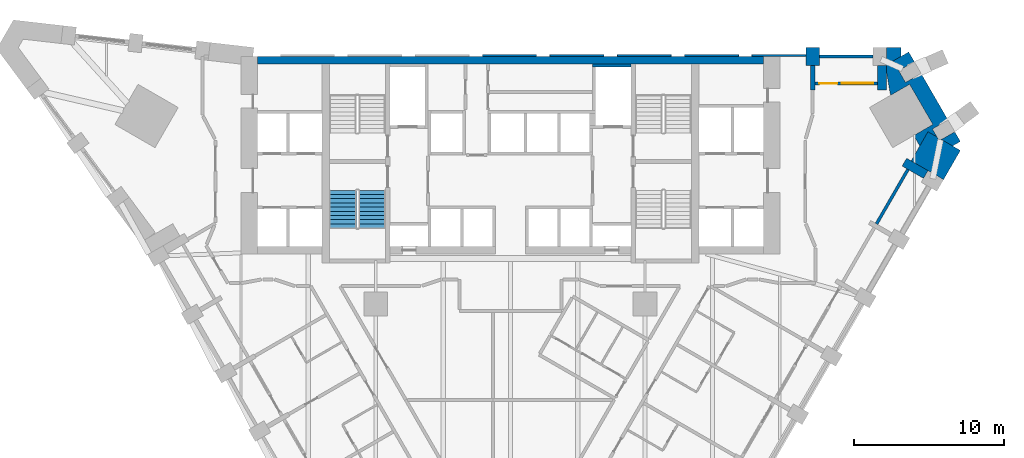
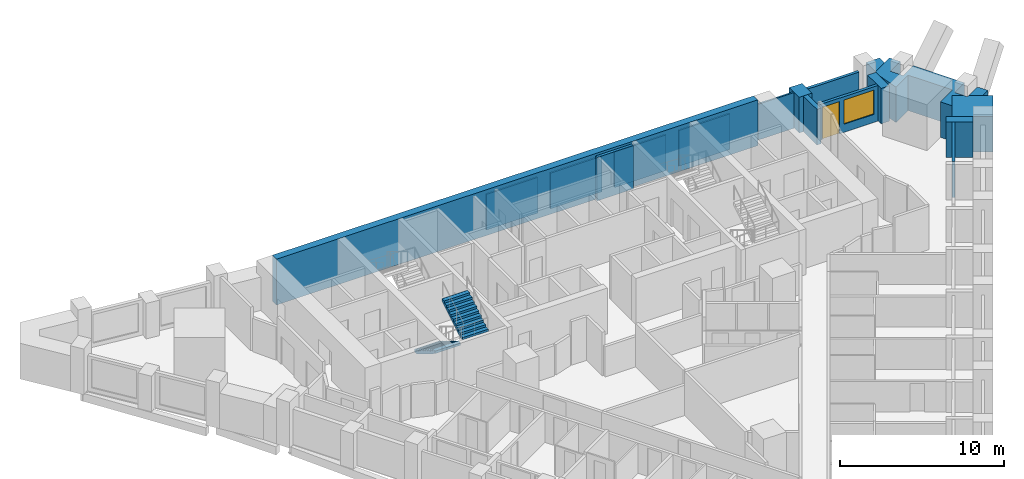
# One storey, part 10 of 12: 18 walls, 2 stair flights, 1 door, 1 window, 2 openings, 1 element without a shape of its own.
"""IFC4 building model written with IfcOpenShell, lengths in metres."""

import ifcopenshell
import ifcopenshell.guid

model = None  # the IFC model being written
_history = None  # IfcOwnerHistory: only IFC2X3 demands one
_inside = {}  # id of a spatial element -> (the spatial element, [elements in it])
_under = {}  # id of a project, library or spatial element -> (it, [spatial elements below it])
_declared = {}  # id of a project -> (the project, [libraries it declares])
_typed = {}  # id of a type object -> (the type object, [elements of that type])
_made_of = {}  # id of a material, layer set ... -> (it, [elements and type objects made of it])


def new_model(schema):
    """Start an empty IFC model of exactly this schema.

    Asked for "IFC4X3", IfcOpenShell would pick the latest addendum, in which some entities
    have other attributes; the version numbers below select the first issue.
    IFC2X3 requires an IfcOwnerHistory on every rooted entity: one is made here for all.
    """
    global model, _history
    if schema == "IFC4X3":
        model = ifcopenshell.file(schema_version=(4, 3, 0, 0))
    else:
        model = ifcopenshell.file(schema=schema)
    _inside.clear()
    _under.clear()
    _declared.clear()
    _typed.clear()
    _made_of.clear()
    _history = None
    if model.schema == "IFC2X3":
        org = make("IfcOrganization", Name="unknown")
        user = make(
            "IfcPersonAndOrganization",
            ThePerson=make("IfcPerson", FamilyName="unknown"),
            TheOrganization=org,
        )
        app = make(
            "IfcApplication",
            ApplicationDeveloper=org,
            Version="unknown",
            ApplicationFullName="unknown",
            ApplicationIdentifier="unknown",
        )
        _history = make(
            "IfcOwnerHistory",
            OwningUser=user,
            OwningApplication=app,
            ChangeAction="ADDED",
            CreationDate=0,
        )
    return model


def make(cls, **values):
    """One entity of the class cls with the attributes given. An attribute that is None is left unset."""
    return model.create_entity(
        cls, **{name: value for name, value in values.items() if value is not None}
    )


def rooted(cls, **values):
    """An entity with a GlobalId (a new one), such as an element, a storey or a relation."""
    return make(cls, GlobalId=ifcopenshell.guid.new(), OwnerHistory=_history, **values)


def si_unit(unit_type, name, prefix=None):
    """IfcSIUnit, for example si_unit("LENGTHUNIT", "METRE", prefix="MILLI")."""
    return make("IfcSIUnit", UnitType=unit_type, Prefix=prefix, Name=name)


def assignment(units):
    """IfcUnitAssignment: the units of a project."""
    return None if units is None else make("IfcUnitAssignment", Units=units)


def point(xyz):
    """IfcCartesianPoint."""
    return None if xyz is None else make("IfcCartesianPoint", Coordinates=xyz)


def direction(xyz):
    """IfcDirection."""
    return None if xyz is None else make("IfcDirection", DirectionRatios=xyz)


def frame(location, z_axis=None, x_axis=None):
    """IfcAxis2Placement3D, a coordinate frame: its origin and axes. An axis left out is left unset."""
    return make(
        "IfcAxis2Placement3D",
        Location=point(location),
        Axis=direction(z_axis),
        RefDirection=direction(x_axis),
    )


def frame_2d(location, x_axis=None):
    """IfcAxis2Placement2D, a coordinate frame in the plane: its origin and x axis."""
    return make(
        "IfcAxis2Placement2D", Location=point(location), RefDirection=direction(x_axis)
    )


def origin():
    """The frame at (0, 0, 0) with its axes left unset."""
    return frame((0.0, 0.0, 0.0))


def place(relative_to, where):
    """IfcLocalPlacement: puts the frame where relative to a parent placement (None: the world)."""
    return make(
        "IfcLocalPlacement", PlacementRelTo=relative_to, RelativePlacement=where
    )


def context(
    kind, dimensions, precision=None, world=None, true_north=None, identifier=None
):
    """IfcGeometricRepresentationContext, for example the 3D "Model" context."""
    return make(
        "IfcGeometricRepresentationContext",
        ContextIdentifier=identifier,
        ContextType=kind,
        CoordinateSpaceDimension=dimensions,
        Precision=precision,
        WorldCoordinateSystem=world,
        TrueNorth=true_north,
    )


def subcontext(parent, identifier, kind, view, scale=None):
    """IfcGeometricRepresentationSubContext, for example "Body" below "Model"."""
    return make(
        "IfcGeometricRepresentationSubContext",
        ContextIdentifier=identifier,
        ContextType=kind,
        ParentContext=parent,
        TargetScale=scale,
        TargetView=view,
    )


def project(units=None, contexts=None):
    """IfcProject with its units and contexts."""
    return rooted(
        "IfcProject",
        Name="project",
        RepresentationContexts=contexts,
        UnitsInContext=assignment(units),
    )


def spatial(cls, under=None, at=None, **own):
    """A site, building, storey or space (cls), placed at a placement, below another one or the project."""
    s = rooted(cls, ObjectPlacement=at, **own)
    if under is not None:
        _under.setdefault(under.id(), (under, []))[1].append(s)
    return s


def polyline(points):
    """IfcPolyline through the points."""
    return make("IfcPolyline", Points=[point(p) for p in points])


def profile(cls, at=None, kind="AREA", **sizes):
    """A parametric profile (cls). Its sizes go by their IFC names, for example OverallWidth=200.0."""
    return make(cls, ProfileType=kind, Position=at, **sizes)


def rectangle(**sizes):
    """IfcRectangleProfileDef."""
    return profile("IfcRectangleProfileDef", **sizes)


def outline(outer, holes=None, kind="AREA"):
    """IfcArbitraryClosedProfileDef: a profile drawn as a closed curve; with holes, ...WithVoids."""
    if holes is None:
        return make("IfcArbitraryClosedProfileDef", ProfileType=kind, OuterCurve=outer)
    return make(
        "IfcArbitraryProfileDefWithVoids",
        ProfileType=kind,
        OuterCurve=outer,
        InnerCurves=holes,
    )


def extrude(swept, where, along, depth):
    """IfcExtrudedAreaSolid: the profile swept, set in the frame where, extruded along a direction by depth."""
    return make(
        "IfcExtrudedAreaSolid",
        SweptArea=swept,
        Position=where,
        ExtrudedDirection=direction(along),
        Depth=depth,
    )


def faces_of(points, faces, orient=None, outer=None):
    """IfcFace entities. A face is a list of loops; a loop is a list of indices into points, from 0.

    orient and outer hold one flag for each loop. By default every Orientation is true, the
    first loop of a face is its IfcFaceOuterBound and the others are IfcFaceBound.
    """
    made = []
    for i, loops in enumerate(faces):
        bounds = []
        for j, loop in enumerate(loops):
            is_outer = j == 0 if outer is None else outer[i][j]
            bounds.append(
                make(
                    "IfcFaceOuterBound" if is_outer else "IfcFaceBound",
                    Bound=make("IfcPolyLoop", Polygon=[points[k] for k in loop]),
                    Orientation=True if orient is None else orient[i][j],
                )
            )
        made.append(make("IfcFace", Bounds=bounds))
    return made


def faceted_brep(points, faces, orient=None, outer=None, voids=None):
    """IfcFacetedBrep: a solid bounded by flat faces; with voids (closed shells), ...WithVoids."""
    shared = [point(p) for p in points]
    hull = make("IfcClosedShell", CfsFaces=faces_of(shared, faces, orient, outer))
    if voids is None:
        return make("IfcFacetedBrep", Outer=hull)
    return make(
        "IfcFacetedBrepWithVoids",
        Outer=hull,
        Voids=[
            make(cls, CfsFaces=faces_of(shared, fs, o, b)) for cls, fs, o, b in voids
        ],
    )


def shape(context_of_items, identifier, shape_type, items):
    """IfcShapeRepresentation: the items that make up one representation, for example the "Body"."""
    return make(
        "IfcShapeRepresentation",
        ContextOfItems=context_of_items,
        RepresentationIdentifier=identifier,
        RepresentationType=shape_type,
        Items=items,
    )


def source(mapping_origin, context_of_items, identifier, shape_type, items):
    """IfcRepresentationMap: a shape defined once, which mapped items show again and again."""
    return make(
        "IfcRepresentationMap",
        MappingOrigin=mapping_origin,
        MappedRepresentation=shape(context_of_items, identifier, shape_type, items),
    )


def transform(
    local_origin,
    x_axis=None,
    y_axis=None,
    z_axis=None,
    scale=None,
    scale2=None,
    scale3=None,
    uniform=True,
):
    """IfcCartesianTransformationOperator3D, or its non-uniform kind. x_axis, y_axis, z_axis: its Axis1, 2, 3."""
    if uniform:
        return make(
            "IfcCartesianTransformationOperator3D",
            Axis1=direction(x_axis),
            Axis2=direction(y_axis),
            LocalOrigin=point(local_origin),
            Scale=scale,
            Axis3=direction(z_axis),
        )
    return make(
        "IfcCartesianTransformationOperator3DnonUniform",
        Axis1=direction(x_axis),
        Axis2=direction(y_axis),
        LocalOrigin=point(local_origin),
        Scale=scale,
        Axis3=direction(z_axis),
        Scale2=scale2,
        Scale3=scale3,
    )


def mapped(mapping_source, mapping_target):
    """IfcMappedItem: shows the shape of a source again, moved by a transform."""
    return make(
        "IfcMappedItem", MappingSource=mapping_source, MappingTarget=mapping_target
    )


def material(Name=None, Category=None):
    """IfcMaterial."""
    return make("IfcMaterial", Name=Name, Category=Category)


def layer(
    of_material, thickness, ventilated=None, Name=None, Category=None, Priority=None
):
    """IfcMaterialLayer: one layer of a wall or slab, of a material (None: an air gap)."""
    return make(
        "IfcMaterialLayer",
        Material=of_material,
        LayerThickness=thickness,
        IsVentilated=ventilated,
        Name=Name,
        Category=Category,
        Priority=Priority,
    )


def layer_set(layers, Name=None):
    """IfcMaterialLayerSet."""
    return make("IfcMaterialLayerSet", MaterialLayers=layers, LayerSetName=Name)


def made_of(thing, what):
    """Note that an element or type object is made of a material, layer set ...; save() writes the relation."""
    if what is not None:
        _made_of.setdefault(what.id(), (what, []))[1].append(thing)
    return thing


def type_object(cls, material=None, **own):
    """A type object (cls), such as IfcWallType, which elements share."""
    return made_of(rooted(cls, **own), material)


def element(
    cls,
    number,
    at=None,
    inside=None,
    cuts=None,
    type_object=None,
    material=None,
    context=None,
    identifier="Body",
    shape_type=None,
    held_by="IfcProductDefinitionShape",
    body=None,
    shapes=None,
    **own,
):
    """One element of the class cls, such as IfcWall. Its Tag is "e" and its number.

    at: its placement. inside: the storey or other place that contains it. cuts: it is an
    opening in that element (IfcRelVoidsElement). A single representation is given by context,
    identifier, shape_type and body (its items); several are given by shapes. held_by: the class
    of the entity that holds the representations. save() writes the other relations.
    """
    e = rooted(cls, Tag="e%d" % number, ObjectPlacement=at, **own)
    if body is not None:
        shapes = [shape(context, identifier, shape_type, body)]
    if shapes is not None:
        e.Representation = make(held_by, Representations=shapes)
    if inside is not None:
        _inside.setdefault(inside.id(), (inside, []))[1].append(e)
    if cuts is not None:
        rooted(
            "IfcRelVoidsElement", RelatingBuildingElement=cuts, RelatedOpeningElement=e
        )
    if type_object is not None:
        _typed.setdefault(type_object.id(), (type_object, []))[1].append(e)
    return made_of(e, material)


def fill(opening, filler):
    """IfcRelFillsElement: the door or window that sits in an opening."""
    return rooted(
        "IfcRelFillsElement",
        RelatingOpeningElement=opening,
        RelatedBuildingElement=filler,
    )


def aggregate(whole, parts):
    """IfcRelAggregates: a whole, such as a stair, and the parts it consists of."""
    return rooted("IfcRelAggregates", RelatingObject=whole, RelatedObjects=parts)


def save(model, path):
    """Write the relations noted so far, then the file.

    IfcRelAggregates (storeys below a building ...), IfcRelContainedInSpatialStructure (elements
    in a storey), IfcRelDefinesByType, IfcRelAssociatesMaterial and IfcRelDeclares: one each for
    every whole, place, type object, material and project.
    """
    for whole, parts in _under.values():
        aggregate(whole, parts)
    for where, things in _inside.values():
        rooted(
            "IfcRelContainedInSpatialStructure",
            RelatedElements=things,
            RelatingStructure=where,
        )
    for kind, things in _typed.values():
        rooted("IfcRelDefinesByType", RelatedObjects=things, RelatingType=kind)
    for what, things in _made_of.values():
        rooted("IfcRelAssociatesMaterial", RelatedObjects=things, RelatingMaterial=what)
    for by, libraries in _declared.values():
        rooted("IfcRelDeclares", RelatingContext=by, RelatedDefinitions=libraries)
    model.write(path)


model = new_model("IFC4")

# Units and contexts
model_context = context("Model", 3, precision=1e-05, world=origin(), true_north=direction((0.0, 1.0)))
body_context = subcontext(model_context, "Body", "Model", "MODEL_VIEW")
ifc_project = project(units=[si_unit("LENGTHUNIT", "METRE"), si_unit("AREAUNIT", "SQUARE_METRE"), si_unit("VOLUMEUNIT", "CUBIC_METRE"), si_unit("PLANEANGLEUNIT", "RADIAN"), si_unit("MASSUNIT", "GRAM", prefix="KILO")], contexts=[model_context])

# Site, building, storey
site_placement = place(None, origin())
site = spatial("IfcSite", under=ifc_project, at=site_placement, CompositionType="ELEMENT")
building_placement = place(site_placement, origin())
building = spatial("IfcBuilding", under=site, at=building_placement, Name="Calabash Gate Tower", CompositionType="ELEMENT")
storey_placement = place(building_placement, frame((0.0, 0.0, 80.0)))
storey = spatial("IfcBuildingStorey", under=building, at=storey_placement, Name="L16", CompositionType="ELEMENT", Elevation=80.0)

# Walls
ifc_material_1 = material(Name="Terracotta brick masonry, exposed face", Category="masonry")
ifc_layer_1 = layer(ifc_material_1, 2.5)
ifc_layer_set_1 = layer_set([ifc_layer_1], Name="Brick corner mass wall 2500")
wall_type_1 = type_object("IfcWallType", Name="Brick corner mass wall 2500", PredefinedType="SOLIDWALL", material=ifc_layer_set_1)
wall_1_placement = place(storey_placement, origin())
element("IfcWall", 1, at=wall_1_placement, inside=storey, type_object=wall_type_1, Name="Brick corner pier S04 3a", PredefinedType="SOLIDWALL", context=body_context, shape_type="SweptSolid", body=[
    extrude(outline(polyline([(30.06640625, 12.771484375), (28.794921875, 13.505615234375), (28.65234375, 13.42333984375), (28.509765625, 13.670166015625), (27.9013671875, 14.021484375), (26.777099609375, 12.073974609375), (28.942138671875, 10.823974609375), (30.06640625, 12.771484375)])), origin(), (0.0, 0.0, 1.0), 2.6298828125),
])
wall_2_placement = place(storey_placement, origin())
element("IfcWall", 2, at=wall_2_placement, inside=storey, type_object=wall_type_1, Name="Brick corner pier S04 3ba", PredefinedType="SOLIDWALL", context=body_context, shape_type="SweptSolid", body=[
    extrude(outline(polyline([(29.72607421875, 13.9609375), (29.583740234375, 13.9609375), (28.777099609375, 13.495361328125), (28.794921875, 13.505615234375), (29.546875, 13.071533203125), (30.06640625, 13.37158203125), (29.72607421875, 13.9609375)])), origin(), (0.0, 0.0, 1.0), 2.6298828125),
])
wall_3_placement = place(storey_placement, origin())
element("IfcWall", 3, at=wall_3_placement, inside=storey, type_object=wall_type_1, Name="Brick corner pier S04 3bb", PredefinedType="SOLIDWALL", context=body_context, shape_type="SweptSolid", body=[
    extrude(outline(polyline([(26.67431640625, 17.1904296875), (28.224365234375, 14.505615234375), (26.94970703125, 13.769775390625), (27.35302734375, 13.071533203125), (27.9013671875, 14.021484375), (28.509765625, 13.670166015625), (28.202392578125, 14.20263671875), (29.240478515625, 14.802001953125), (27.44384765625, 17.9140625), (26.40234375, 17.3212890625), (25.952392578125, 18.100830078125), (26.990234375, 18.699951171875), (26.61328125, 19.3525390625), (25.054443359375, 18.45263671875), (25.141845703125, 18.45263671875), (25.141845703125, 17.947021484375), (25.399658203125, 16.454345703125), (26.67431640625, 17.1904296875)])), origin(), (0.0, 0.0, 1.0), 2.6298828125),
])
wall_4_placement = place(storey_placement, origin())
element("IfcWall", 4, at=wall_4_placement, inside=storey, type_object=wall_type_1, Name="Brick corner pier S04 3c", PredefinedType="SOLIDWALL", context=body_context, shape_type="SweptSolid", body=[
    extrude(outline(polyline([(26.09375, 19.652587890625), (25.14208984375, 19.652587890625), (25.14208984375, 18.503173828125), (26.09375, 19.052490234375), (26.09375, 19.652587890625)])), origin(), (0.0, 0.0, 1.0), 2.6298828125),
])
ifc_material_2 = material(Name="Terracotta brick masonry, exposed face", Category="masonry")
ifc_layer_2 = layer(ifc_material_2, 1.199951171875)
ifc_layer_set_2 = layer_set([ifc_layer_2], Name="Brick end wall 1200")
wall_type_2 = type_object("IfcWallType", Name="Brick end wall 1200", PredefinedType="SOLIDWALL", material=ifc_layer_set_2)
wall_5_placement = place(storey_placement, origin())
element("IfcWall", 5, at=wall_5_placement, inside=storey, type_object=wall_type_2, Name="Brick pier S04 N4.1", PredefinedType="SOLIDWALL", context=body_context, shape_type="SweptSolid", body=[
    extrude(outline(polyline([(20.641845703125, 19.652587890625), (19.74169921875, 19.652587890625), (19.74169921875, 18.45263671875), (20.641845703125, 18.45263671875), (20.641845703125, 19.652587890625)])), origin(), (0.0, 0.0, 1.0), 2.64990234375),
])
ifc_material_3 = material(Name="Terracotta brick masonry, exposed face", Category="masonry")
ifc_layer_3 = layer(ifc_material_3, 0.300048828125)
ifc_layer_set_3 = layer_set([ifc_layer_3], Name="Brick loggia cheek wall 300")
wall_type_3 = type_object("IfcWallType", Name="Brick loggia cheek wall 300", PredefinedType="SOLIDWALL", material=ifc_layer_set_3)
wall_6_placement = place(storey_placement, frame((27.7529296875, 11.164306640625, 0.0), z_axis=(0.0, 0.0, 1.0), x_axis=(-0.866040211805, 0.499974350878, 0.0)))
element("IfcWall", 6, at=wall_6_placement, inside=storey, type_object=wall_type_3, Name="Loggia cheek S04 SE2.10", PredefinedType="SOLIDWALL", context=body_context, shape_type="SweptSolid", body=[
    extrude(rectangle(XDim=1.64990234375, YDim=0.60009765625, at=frame_2d((0.824951171875, 0.0))), origin(), (0.0, 0.0, 1.0), 2.64990234375),
])
wall_7_placement = place(storey_placement, origin())
element("IfcWall", 7, at=wall_7_placement, inside=storey, type_object=wall_type_3, Name="Loggia cheek S04 N4.0", PredefinedType="SOLIDWALL", context=body_context, shape_type="SweptSolid", body=[
    extrude(outline(polyline([(25.141845703125, 16.802490234375), (25.141845703125, 18.45263671875), (24.541748046875, 18.45263671875), (24.541748046875, 16.802490234375), (25.141845703125, 16.802490234375)])), origin(), (0.0, 0.0, 1.0), 2.6298828125),
])
wall_8_placement = place(storey_placement, origin())
element("IfcWall", 8, at=wall_8_placement, inside=storey, type_object=wall_type_3, Name="Loggia cheek S04 N4.1", PredefinedType="SOLIDWALL", context=body_context, shape_type="SweptSolid", body=[
    extrude(outline(polyline([(20.041748046875, 18.45263671875), (20.041748046875, 16.802490234375), (20.341796875, 16.802490234375), (20.341796875, 18.45263671875), (20.041748046875, 18.45263671875)])), origin(), (0.0, 0.0, 1.0), 2.64990234375),
])
ifc_material_4 = material(Name="Concrete C80/95", Category="concrete")
ifc_layer_4 = layer(ifc_material_4, 0.5)
ifc_layer_set_4 = layer_set([ifc_layer_4], Name="Core wall 500 Concrete C80/95")
wall_type_4 = type_object("IfcWallType", Name="Core wall 500 Concrete C80/95", PredefinedType="SHEAR", material=ifc_layer_set_4)
wall_9_placement = place(storey_placement, frame((-16.89990234375, 18.802490234375, 0.0), z_axis=(0.0, 0.0, 1.0), x_axis=(1.0, 0.0, 0.0)))
element("IfcWall", 9, at=wall_9_placement, inside=storey, type_object=wall_type_4, Name="Core wall Z1-N L16", PredefinedType="SHEAR", context=body_context, shape_type="SweptSolid", body=[
    extrude(rectangle(XDim=33.7998046875, YDim=0.5, at=frame_2d((16.89990234375, 0.0))), origin(), (0.0, 0.0, 1.0), 3.39990234375),
])
ifc_material_5 = material(Name="Concrete C40/50", Category="concrete")
ifc_layer_5 = layer(ifc_material_5, 0.199951171875)
ifc_layer_set_5 = layer_set([ifc_layer_5], Name="Shaft wall 200 Concrete C40/50")
wall_type_5 = type_object("IfcWallType", Name="Shaft wall 200 Concrete C40/50", PredefinedType="SOLIDWALL", material=ifc_layer_set_5)
wall_10_placement = place(storey_placement, frame((5.5, 18.45263671875, 0.0), z_axis=(0.0, 0.0, 1.0), x_axis=(1.0, 0.0, 0.0)))
element("IfcWall", 10, at=wall_10_placement, inside=storey, type_object=wall_type_5, Name="Shaft wall", PredefinedType="SOLIDWALL", context=body_context, shape_type="SweptSolid", body=[
    extrude(rectangle(XDim=2.550048828125, YDim=0.199951171875, at=frame_2d((1.27490234375, 0.0))), origin(), (0.0, 0.0, 1.0), 3.22998046875),
])
ifc_material_6 = material(Name="Terracotta brick masonry, perforated", Category="masonry")
ifc_layer_6 = layer(ifc_material_6, 0.1201171875)
ifc_layer_set_6 = layer_set([ifc_layer_6], Name="Terracotta jaali cladding B 120")
wall_type_6 = type_object("IfcWallType", Name="Terracotta jaali cladding B 120", PredefinedType="SOLIDWALL", material=ifc_layer_set_6)
wall_11_placement = place(storey_placement, origin())
element("IfcWall", 11, at=wall_11_placement, inside=storey, type_object=wall_type_6, Name="Jaali cladding S04 N4.3", PredefinedType="SOLIDWALL", context=body_context, shape_type="SweptSolid", body=[
    extrude(outline(polyline([(11.641845703125, 19.172607421875), (11.641845703125, 19.052490234375), (15.24169921875, 19.052490234375), (15.24169921875, 19.172607421875), (11.641845703125, 19.172607421875)])), origin(), (0.0, 0.0, 1.0), 2.64990234375),
])
wall_12_placement = place(storey_placement, origin())
element("IfcWall", 12, at=wall_12_placement, inside=storey, type_object=wall_type_6, Name="Jaali cladding S04 N4.5", PredefinedType="SOLIDWALL", context=body_context, shape_type="SweptSolid", body=[
    extrude(outline(polyline([(2.641845703125, 19.172607421875), (2.641845703125, 19.052490234375), (6.24169921875, 19.052490234375), (6.24169921875, 19.172607421875), (2.641845703125, 19.172607421875)])), origin(), (0.0, 0.0, 1.0), 2.64990234375),
])
ifc_material_7 = material(Name="Terracotta brick masonry, perforated", Category="masonry")
ifc_layer_7 = layer(ifc_material_7, 0.199951171875)
ifc_layer_set_7 = layer_set([ifc_layer_7], Name="Terracotta jaali screen B")
wall_type_7 = type_object("IfcWallType", Name="Terracotta jaali screen B", PredefinedType="SOLIDWALL", material=ifc_layer_set_7)
wall_13_placement = place(storey_placement, frame((24.24169921875, 19.052490234375, 0.0), z_axis=(0.0, 0.0, 1.0), x_axis=(-1.0, 0.0, 0.0)))
element("IfcWall", 13, at=wall_13_placement, inside=storey, type_object=wall_type_7, Name="SCREEN B S04 N4.1", PredefinedType="SOLIDWALL", context=body_context, shape_type="SweptSolid", body=[
    extrude(rectangle(XDim=3.599853515625, YDim=0.199951171875, at=frame_2d((1.7998046875, 0.0))), origin(), (0.0, 0.0, 1.0), 2.64990234375),
])
ifc_material_8 = material(Name="Terracotta louvre blades in an aluminium frame", Category="masonry")
ifc_layer_8 = layer(ifc_material_8, 0.1201171875)
ifc_layer_set_8 = layer_set([ifc_layer_8], Name="Terracotta vent louvre cladding 120")
wall_type_8 = type_object("IfcWallType", Name="Terracotta vent louvre cladding 120", PredefinedType="ELEMENTEDWALL", material=ifc_layer_set_8)
wall_14_placement = place(storey_placement, origin())
element("IfcWall", 14, at=wall_14_placement, inside=storey, type_object=wall_type_8, Name="Vent louvre cladding S04 N4.2", PredefinedType="ELEMENTEDWALL", context=body_context, shape_type="SweptSolid", body=[
    extrude(outline(polyline([(16.141845703125, 19.172607421875), (16.141845703125, 19.052490234375), (19.7412109375, 19.052490234375), (19.7412109375, 19.172607421875), (16.141845703125, 19.172607421875)])), origin(), (0.0, 0.0, 1.0), 2.64990234375),
])
wall_15_placement = place(storey_placement, origin())
element("IfcWall", 15, at=wall_15_placement, inside=storey, type_object=wall_type_8, Name="Vent louvre cladding S04 N4.4", PredefinedType="ELEMENTEDWALL", context=body_context, shape_type="SweptSolid", body=[
    extrude(outline(polyline([(7.141845703125, 19.172607421875), (7.141845703125, 19.052490234375), (10.74169921875, 19.052490234375), (10.74169921875, 19.172607421875), (7.141845703125, 19.172607421875)])), origin(), (0.0, 0.0, 1.0), 2.64990234375),
])
wall_16_placement = place(storey_placement, origin())
element("IfcWall", 16, at=wall_16_placement, inside=storey, type_object=wall_type_8, Name="Vent louvre cladding S04 N4.6", PredefinedType="ELEMENTEDWALL", context=body_context, shape_type="SweptSolid", body=[
    extrude(outline(polyline([(-1.858154296875, 19.172607421875), (-1.858154296875, 19.052490234375), (1.74169921875, 19.052490234375), (1.74169921875, 19.172607421875), (-1.858154296875, 19.172607421875)])), origin(), (0.0, 0.0, 1.0), 2.64990234375),
])
ifc_material_9 = material(Name="Aluminium framed window wall with insulated spandrel", Category="aluminium")
ifc_layer_9 = layer(ifc_material_9, 0.199951171875)
ifc_layer_set_9 = layer_set([ifc_layer_9], Name="Window wall 200")
wall_type_9 = type_object("IfcWallType", Name="Window wall 200", PredefinedType="ELEMENTEDWALL", material=ifc_layer_set_9)
wall_17_placement = place(storey_placement, frame((24.463623046875, 7.8671875, 0.0), z_axis=(0.0, 0.0, 1.0), x_axis=(0.500027713859, 0.866009402589, 0.0)))
element("IfcWall", 17, at=wall_17_placement, inside=storey, type_object=wall_type_9, Name="Window wall S04 SE2.10", PredefinedType="ELEMENTEDWALL", context=body_context, shape_type="SweptSolid", body=[
    extrude(rectangle(XDim=4.199951171875, YDim=0.199951171875, at=frame_2d((2.10009765625, 0.0))), origin(), (0.0, 0.0, 1.0), 2.64990234375),
])

# Wall, openings, door, window
wall_18_placement = place(storey_placement, frame((24.541748046875, 17.25244140625, 0.0), z_axis=(0.0, 0.0, 1.0), x_axis=(-1.0, 0.0, 0.0)))
wall_18 = element("IfcWall", 18, at=wall_18_placement, inside=storey, type_object=wall_type_9, Name="Window wall S04 N4.1", PredefinedType="ELEMENTEDWALL", context=body_context, shape_type="SweptSolid", body=[
    extrude(rectangle(XDim=4.199951171875, YDim=0.199951171875, at=frame_2d((2.10009765625, 0.0))), origin(), (0.0, 0.0, 1.0), 2.64990234375),
])
opening_1_placement = place(wall_18_placement, frame((0.300048828125, 0.0, 0.60009765625)))
opening_1 = element("IfcOpeningElement", 19, at=opening_1_placement, cuts=wall_18, Name="Opening HW1", PredefinedType="OPENING", context=body_context, shape_type="SweptSolid", body=[
    extrude(rectangle(XDim=2.10009765625, YDim=1.800048828125, at=frame_2d((1.050048828125, 0.89990234375))), frame((0.0, 0.10986328125, 0.0), z_axis=(0.0, -1.0, 0.0), x_axis=(1.0, 0.0, 0.0)), (0.0, 0.0, 1.0), 0.219970703125),
])
opening_2_placement = place(wall_18_placement, frame((2.699951171875, 0.0, 0.0)))
opening_2 = element("IfcOpeningElement", 20, at=opening_2_placement, cuts=wall_18, Name="Opening H4-017", PredefinedType="OPENING", context=body_context, shape_type="SweptSolid", body=[
    extrude(rectangle(XDim=1.199951171875, YDim=2.39990234375, at=frame_2d((0.60009765625, 1.199951171875))), frame((0.0, 0.10986328125, 0.0), z_axis=(0.0, -1.0, 0.0), x_axis=(1.0, 0.0, 0.0)), (0.0, 0.0, 1.0), 0.219970703125),
])
ifc_material_10 = material(Name="Anodised aluminium frame, bronze finish, impact-rated laminated clear glazing", Category="aluminium")
door_type = type_object("IfcDoorType", Name="Loggia door DH1 1200x2400", OperationType="SLIDING_TO_LEFT", PredefinedType="DOOR", material=ifc_material_10)
door_placement = place(opening_2_placement, origin())
door = element("IfcDoor", 21, at=door_placement, inside=storey, type_object=door_type, Name="Loggia door S04 N4.1", OperationType="SINGLE_SWING_LEFT", OverallHeight=2.39990234375, OverallWidth=1.199951171875, PredefinedType="DOOR", context=body_context, shape_type="SweptSolid", body=[
    extrude(rectangle(XDim=1.199951171875, YDim=2.39990234375, at=frame_2d((0.60009765625, 1.199951171875))), frame((0.0, 0.02490234375, 0.0), z_axis=(0.0, -1.0, 0.0), x_axis=(1.0, 0.0, 0.0)), (0.0, 0.0, 1.0), 0.050048828125),
])
fill(opening_2, door)
ifc_material_11 = material(Name="Anodised aluminium frame, bronze finish, impact-rated laminated clear glazing", Category="aluminium")
window_type = type_object("IfcWindowType", Name="Window HW1 2100x1800", PartitioningType="DOUBLE_PANEL_VERTICAL", PredefinedType="WINDOW", material=ifc_material_11)
window_placement = place(opening_1_placement, origin())
window = element("IfcWindow", 22, at=window_placement, inside=storey, type_object=window_type, Name="Window HW1 S04 N4.1", OverallHeight=1.800048828125, OverallWidth=2.10009765625, PartitioningType="SINGLE_PANEL", PredefinedType="WINDOW", context=body_context, shape_type="SweptSolid", body=[
    extrude(rectangle(XDim=2.10009765625, YDim=1.800048828125, at=frame_2d((1.050048828125, 0.89990234375))), frame((0.0, 0.030029296875, 0.0), z_axis=(0.0, -1.0, 0.0), x_axis=(1.0, 0.0, 0.0)), (0.0, 0.0, 1.0), 0.06005859375),
])
fill(opening_1, window)

# Stair, stair flights
ifc_material_12 = material(Name="Concrete C40/50", Category="concrete")
stair_type = type_object("IfcStairType", Name="Exit stair 20 risers of 170 mm", PredefinedType="HALF_TURN_STAIR", material=ifc_material_12)
stair_placement = place(storey_placement, origin())
stair = element("IfcStair", 23, at=stair_placement, inside=storey, type_object=stair_type, Name="L16 Exit stair ST2", PredefinedType="HALF_TURN_STAIR")
ifc_material_13 = material(Name="Concrete C40/50", Category="concrete")
stair_flight_type = type_object("IfcStairFlightType", Name="Exit stair flight SFL", PredefinedType="STRAIGHT", material=ifc_material_13)
shared_shape = source(origin(), body_context, "Body", "Brep", [
    faceted_brep([(-0.0009765625, -0.89990234375, 0.0), (0.2880859375, -0.89990234375, 0.0), (2.511962890625, -0.89990234375, 1.3544921875), (-0.0009765625, 0.89990234375, 0.0), (2.511962890625, 0.89990234375, 1.3544921875), (0.2880859375, 0.89990234375, 0.0), (2.511962890625, -0.89990234375, 1.5419921875), (2.510986328125, -0.89990234375, 1.5419921875), (2.510986328125, 0.89990234375, 1.5419921875), (2.511962890625, 0.89990234375, 1.5419921875), (2.510986328125, -0.89990234375, 1.530029296875), (2.510986328125, 0.89990234375, 1.530029296875), (2.23193359375, -0.89990234375, 1.530029296875), (2.23193359375, 0.89990234375, 1.530029296875), (2.23193359375, -0.89990234375, 1.360107421875), (2.23193359375, 0.89990234375, 1.360107421875), (1.952880859375, -0.89990234375, 1.360107421875), (1.952880859375, 0.89990234375, 1.360107421875), (1.952880859375, -0.89990234375, 1.18994140625), (1.952880859375, 0.89990234375, 1.18994140625), (1.674072265625, -0.89990234375, 1.18994140625), (1.674072265625, -0.89990234375, 1.02001953125), (1.674072265625, 0.89990234375, 1.02001953125), (1.674072265625, 0.89990234375, 1.18994140625), (1.39501953125, -0.89990234375, 1.02001953125), (1.39501953125, -0.89990234375, 0.85009765625), (1.39501953125, 0.89990234375, 0.85009765625), (1.39501953125, 0.89990234375, 1.02001953125), (1.115966796875, -0.89990234375, 0.85009765625), (1.115966796875, -0.89990234375, 0.679931640625), (1.115966796875, 0.89990234375, 0.679931640625), (1.115966796875, 0.89990234375, 0.85009765625), (0.8369140625, -0.89990234375, 0.679931640625), (0.8369140625, -0.89990234375, 0.510009765625), (0.8369140625, 0.89990234375, 0.510009765625), (0.8369140625, 0.89990234375, 0.679931640625), (0.55810546875, -0.89990234375, 0.510009765625), (0.55810546875, -0.89990234375, 0.340087890625), (0.55810546875, 0.89990234375, 0.340087890625), (0.55810546875, 0.89990234375, 0.510009765625), (0.279052734375, -0.89990234375, 0.340087890625), (0.279052734375, -0.89990234375, 0.169921875), (0.279052734375, 0.89990234375, 0.169921875), (0.279052734375, 0.89990234375, 0.340087890625), (-0.0009765625, -0.89990234375, 0.169921875), (-0.0009765625, 0.89990234375, 0.169921875), (0.2880859375, -0.360107421875, 0.0), (2.511962890625, -0.360107421875, 1.3544921875), (0.2880859375, -0.179931640625, 0.0), (2.511962890625, -0.179931640625, 1.3544921875), (0.2880859375, 0.0, 0.0), (2.511962890625, 0.0, 1.3544921875), (0.2880859375, 0.179931640625, 0.0), (2.511962890625, 0.179931640625, 1.3544921875), (0.2880859375, 0.360107421875, 0.0), (2.511962890625, 0.360107421875, 1.3544921875), (2.511962890625, -0.360107421875, 1.5419921875), (2.511962890625, -0.179931640625, 1.5419921875), (2.511962890625, 0.0, 1.5419921875), (2.511962890625, 0.179931640625, 1.5419921875), (2.511962890625, 0.360107421875, 1.5419921875), (2.510986328125, -0.360107421875, 1.5419921875), (2.510986328125, -0.179931640625, 1.5419921875), (2.510986328125, 0.0, 1.5419921875), (2.510986328125, 0.179931640625, 1.5419921875), (2.510986328125, 0.360107421875, 1.5419921875), (2.510986328125, -0.360107421875, 1.530029296875), (2.510986328125, -0.179931640625, 1.530029296875), (2.510986328125, 0.0, 1.530029296875), (2.510986328125, 0.179931640625, 1.530029296875), (2.510986328125, 0.360107421875, 1.530029296875), (2.23193359375, -0.360107421875, 1.530029296875), (2.23193359375, -0.179931640625, 1.530029296875), (2.23193359375, 0.0, 1.530029296875), (2.23193359375, 0.179931640625, 1.530029296875), (2.23193359375, 0.360107421875, 1.530029296875), (2.23193359375, -0.360107421875, 1.360107421875), (2.23193359375, -0.179931640625, 1.360107421875), (2.23193359375, 0.0, 1.360107421875), (2.23193359375, 0.179931640625, 1.360107421875), (2.23193359375, 0.360107421875, 1.360107421875), (1.952880859375, -0.360107421875, 1.360107421875), (1.952880859375, -0.179931640625, 1.360107421875), (1.952880859375, 0.0, 1.360107421875), (1.952880859375, 0.179931640625, 1.360107421875), (1.952880859375, 0.360107421875, 1.360107421875), (1.952880859375, -0.360107421875, 1.18994140625), (1.952880859375, -0.179931640625, 1.18994140625), (1.952880859375, 0.0, 1.18994140625), (1.952880859375, 0.179931640625, 1.18994140625), (1.952880859375, 0.360107421875, 1.18994140625), (1.674072265625, -0.360107421875, 1.18994140625), (1.674072265625, -0.179931640625, 1.18994140625), (1.674072265625, 0.0, 1.18994140625), (1.674072265625, 0.179931640625, 1.18994140625), (1.674072265625, 0.360107421875, 1.18994140625), (1.674072265625, -0.360107421875, 1.02001953125), (1.674072265625, -0.179931640625, 1.02001953125), (1.674072265625, 0.0, 1.02001953125), (1.674072265625, 0.179931640625, 1.02001953125), (1.674072265625, 0.360107421875, 1.02001953125), (1.39501953125, -0.360107421875, 1.02001953125), (1.39501953125, -0.179931640625, 1.02001953125), (1.39501953125, 0.0, 1.02001953125), (1.39501953125, 0.179931640625, 1.02001953125), (1.39501953125, 0.360107421875, 1.02001953125), (1.39501953125, -0.360107421875, 0.85009765625), (1.39501953125, -0.179931640625, 0.85009765625), (1.39501953125, 0.0, 0.85009765625), (1.39501953125, 0.179931640625, 0.85009765625), (1.39501953125, 0.360107421875, 0.85009765625), (1.115966796875, -0.360107421875, 0.85009765625), (1.115966796875, -0.179931640625, 0.85009765625), (1.115966796875, 0.0, 0.85009765625), (1.115966796875, 0.179931640625, 0.85009765625), (1.115966796875, 0.360107421875, 0.85009765625), (1.115966796875, -0.360107421875, 0.679931640625), (1.115966796875, -0.179931640625, 0.679931640625), (1.115966796875, 0.0, 0.679931640625), (1.115966796875, 0.179931640625, 0.679931640625), (1.115966796875, 0.360107421875, 0.679931640625), (0.8369140625, -0.360107421875, 0.679931640625), (0.8369140625, -0.179931640625, 0.679931640625), (0.8369140625, 0.0, 0.679931640625), (0.8369140625, 0.179931640625, 0.679931640625), (0.8369140625, 0.360107421875, 0.679931640625), (0.8369140625, -0.360107421875, 0.510009765625), (0.8369140625, -0.179931640625, 0.510009765625), (0.8369140625, 0.0, 0.510009765625), (0.8369140625, 0.179931640625, 0.510009765625), (0.8369140625, 0.360107421875, 0.510009765625), (0.55810546875, -0.360107421875, 0.510009765625), (0.55810546875, -0.179931640625, 0.510009765625), (0.55810546875, 0.0, 0.510009765625), (0.55810546875, 0.179931640625, 0.510009765625), (0.55810546875, 0.360107421875, 0.510009765625), (0.55810546875, -0.360107421875, 0.340087890625), (0.55810546875, -0.179931640625, 0.340087890625), (0.55810546875, 0.0, 0.340087890625), (0.55810546875, 0.179931640625, 0.340087890625), (0.55810546875, 0.360107421875, 0.340087890625), (0.279052734375, -0.360107421875, 0.340087890625), (0.279052734375, -0.179931640625, 0.340087890625), (0.279052734375, 0.0, 0.340087890625), (0.279052734375, 0.179931640625, 0.340087890625), (0.279052734375, 0.360107421875, 0.340087890625), (0.279052734375, -0.360107421875, 0.169921875), (0.279052734375, -0.179931640625, 0.169921875), (0.279052734375, 0.0, 0.169921875), (0.279052734375, 0.179931640625, 0.169921875), (0.279052734375, 0.360107421875, 0.169921875), (-0.0009765625, -0.360107421875, 0.169921875), (-0.0009765625, -0.179931640625, 0.169921875), (-0.0009765625, 0.0, 0.169921875), (-0.0009765625, 0.179931640625, 0.169921875), (-0.0009765625, 0.360107421875, 0.169921875), (-0.0009765625, -0.360107421875, 0.0), (-0.0009765625, -0.179931640625, 0.0), (-0.0009765625, 0.0, 0.0), (-0.0009765625, 0.179931640625, 0.0), (-0.0009765625, 0.360107421875, 0.0)], [[[0, 1, 2]], [[3, 4, 5]], [[2, 6, 7]], [[4, 8, 9]], [[2, 7, 10]], [[4, 11, 8]], [[2, 10, 12]], [[4, 13, 11]], [[2, 12, 14]], [[4, 15, 13]], [[2, 14, 16]], [[4, 17, 15]], [[2, 16, 18]], [[4, 19, 17]], [[18, 20, 21]], [[19, 22, 23]], [[2, 18, 21]], [[4, 22, 19]], [[21, 24, 25]], [[22, 26, 27]], [[2, 21, 25]], [[4, 26, 22]], [[25, 28, 29]], [[26, 30, 31]], [[2, 25, 29]], [[4, 30, 26]], [[29, 32, 33]], [[30, 34, 35]], [[2, 29, 33]], [[4, 34, 30]], [[33, 36, 37]], [[34, 38, 39]], [[2, 33, 37]], [[4, 38, 34]], [[37, 40, 41]], [[38, 42, 43]], [[2, 37, 41]], [[4, 42, 38]], [[0, 2, 41]], [[3, 42, 4]], [[41, 44, 0]], [[42, 3, 45]], [[1, 46, 2]], [[46, 47, 2]], [[46, 48, 47]], [[48, 49, 47]], [[48, 50, 49]], [[50, 51, 49]], [[50, 52, 53]], [[50, 53, 51]], [[52, 54, 55]], [[52, 55, 53]], [[54, 5, 4]], [[54, 4, 55]], [[2, 47, 6]], [[47, 56, 6]], [[47, 49, 56]], [[49, 57, 56]], [[49, 51, 57]], [[51, 58, 57]], [[51, 53, 59]], [[51, 59, 58]], [[53, 55, 60]], [[53, 60, 59]], [[55, 4, 9]], [[55, 9, 60]], [[6, 56, 7]], [[56, 61, 7]], [[56, 57, 61]], [[57, 62, 61]], [[57, 58, 62]], [[58, 63, 62]], [[58, 59, 64]], [[58, 64, 63]], [[59, 60, 65]], [[59, 65, 64]], [[60, 9, 8]], [[60, 8, 65]], [[7, 61, 10]], [[61, 66, 10]], [[61, 62, 66]], [[62, 67, 66]], [[62, 63, 67]], [[63, 68, 67]], [[63, 64, 69]], [[63, 69, 68]], [[64, 65, 70]], [[64, 70, 69]], [[65, 8, 11]], [[65, 11, 70]], [[10, 66, 12]], [[66, 71, 12]], [[66, 67, 71]], [[67, 72, 71]], [[67, 68, 72]], [[68, 73, 72]], [[68, 69, 74]], [[68, 74, 73]], [[69, 70, 75]], [[69, 75, 74]], [[70, 11, 13]], [[70, 13, 75]], [[12, 71, 14]], [[71, 76, 14]], [[71, 72, 76]], [[72, 77, 76]], [[72, 73, 77]], [[73, 78, 77]], [[73, 74, 79]], [[73, 79, 78]], [[74, 75, 80]], [[74, 80, 79]], [[75, 13, 15]], [[75, 15, 80]], [[14, 76, 16]], [[76, 81, 16]], [[76, 77, 81]], [[77, 82, 81]], [[77, 78, 82]], [[78, 83, 82]], [[78, 79, 84]], [[78, 84, 83]], [[79, 80, 85]], [[79, 85, 84]], [[80, 15, 17]], [[80, 17, 85]], [[16, 81, 18]], [[81, 86, 18]], [[81, 82, 86]], [[82, 87, 86]], [[82, 83, 87]], [[83, 88, 87]], [[83, 84, 89]], [[83, 89, 88]], [[84, 85, 90]], [[84, 90, 89]], [[85, 17, 19]], [[85, 19, 90]], [[18, 86, 20]], [[86, 91, 20]], [[86, 87, 91]], [[87, 92, 91]], [[87, 88, 92]], [[88, 93, 92]], [[88, 89, 94]], [[88, 94, 93]], [[89, 90, 95]], [[89, 95, 94]], [[90, 19, 23]], [[90, 23, 95]], [[20, 91, 21]], [[91, 96, 21]], [[91, 92, 96]], [[92, 97, 96]], [[92, 93, 97]], [[93, 98, 97]], [[93, 94, 99]], [[93, 99, 98]], [[94, 95, 100]], [[94, 100, 99]], [[95, 23, 22]], [[95, 22, 100]], [[21, 96, 24]], [[96, 101, 24]], [[96, 97, 101]], [[97, 102, 101]], [[97, 98, 102]], [[98, 103, 102]], [[98, 99, 104]], [[98, 104, 103]], [[99, 100, 105]], [[99, 105, 104]], [[100, 22, 27]], [[100, 27, 105]], [[24, 101, 25]], [[101, 106, 25]], [[101, 102, 106]], [[102, 107, 106]], [[102, 103, 107]], [[103, 108, 107]], [[103, 104, 109]], [[103, 109, 108]], [[104, 105, 110]], [[104, 110, 109]], [[105, 27, 26]], [[105, 26, 110]], [[25, 106, 28]], [[106, 111, 28]], [[106, 107, 111]], [[107, 112, 111]], [[107, 108, 112]], [[108, 113, 112]], [[108, 109, 114]], [[108, 114, 113]], [[109, 110, 115]], [[109, 115, 114]], [[110, 26, 31]], [[110, 31, 115]], [[28, 111, 29]], [[111, 116, 29]], [[111, 112, 116]], [[112, 117, 116]], [[112, 113, 117]], [[113, 118, 117]], [[113, 114, 119]], [[113, 119, 118]], [[114, 115, 120]], [[114, 120, 119]], [[115, 31, 30]], [[115, 30, 120]], [[29, 116, 32]], [[116, 121, 32]], [[116, 117, 121]], [[117, 122, 121]], [[117, 118, 122]], [[118, 123, 122]], [[118, 119, 124]], [[118, 124, 123]], [[119, 120, 125]], [[119, 125, 124]], [[120, 30, 35]], [[120, 35, 125]], [[32, 121, 33]], [[121, 126, 33]], [[121, 122, 126]], [[122, 127, 126]], [[122, 123, 127]], [[123, 128, 127]], [[123, 124, 129]], [[123, 129, 128]], [[124, 125, 130]], [[124, 130, 129]], [[125, 35, 34]], [[125, 34, 130]], [[33, 126, 36]], [[126, 131, 36]], [[126, 127, 131]], [[127, 132, 131]], [[127, 128, 132]], [[128, 133, 132]], [[128, 129, 134]], [[128, 134, 133]], [[129, 130, 135]], [[129, 135, 134]], [[130, 34, 39]], [[130, 39, 135]], [[36, 131, 37]], [[131, 136, 37]], [[131, 132, 136]], [[132, 137, 136]], [[132, 133, 137]], [[133, 138, 137]], [[133, 134, 139]], [[133, 139, 138]], [[134, 135, 140]], [[134, 140, 139]], [[135, 39, 38]], [[135, 38, 140]], [[37, 136, 40]], [[136, 141, 40]], [[136, 137, 141]], [[137, 142, 141]], [[137, 138, 142]], [[138, 143, 142]], [[138, 139, 144]], [[138, 144, 143]], [[139, 140, 145]], [[139, 145, 144]], [[140, 38, 43]], [[140, 43, 145]], [[40, 141, 41]], [[141, 146, 41]], [[141, 142, 146]], [[142, 147, 146]], [[142, 143, 147]], [[143, 148, 147]], [[143, 144, 149]], [[143, 149, 148]], [[144, 145, 150]], [[144, 150, 149]], [[145, 43, 42]], [[145, 42, 150]], [[41, 146, 44]], [[146, 151, 44]], [[146, 147, 151]], [[147, 152, 151]], [[147, 148, 152]], [[148, 153, 152]], [[148, 149, 154]], [[148, 154, 153]], [[149, 150, 155]], [[149, 155, 154]], [[150, 42, 45]], [[150, 45, 155]], [[44, 151, 0]], [[151, 156, 0]], [[151, 152, 156]], [[152, 157, 156]], [[152, 153, 157]], [[153, 158, 157]], [[153, 154, 159]], [[153, 159, 158]], [[154, 155, 160]], [[154, 160, 159]], [[155, 45, 3]], [[155, 3, 160]], [[0, 156, 1]], [[156, 46, 1]], [[156, 157, 46]], [[157, 48, 46]], [[157, 158, 48]], [[158, 50, 48]], [[158, 159, 52]], [[158, 52, 50]], [[159, 160, 54]], [[159, 54, 52]], [[160, 3, 5]], [[160, 5, 54]]]),
])
stair_flight_1_placement = place(storey_placement, frame((-11.199951171875, 10.1025390625, 0.0), z_axis=(0.0, 0.0, 1.0), x_axis=(0.0, -1.0, 0.0)))
stair_flight_1 = element("IfcStairFlight", 24, at=stair_flight_1_placement, type_object=stair_flight_type, Name="ST2 flight 1", NumberOfRisers=10, NumberOfTreads=9, PredefinedType="STRAIGHT", RiserHeight=0.17, TreadLength=0.279, context=body_context, shape_type="MappedRepresentation", body=[
    mapped(shared_shape, transform((0.0, 0.0, 0.0), scale=1.0)),
])
stair_flight_2_placement = place(storey_placement, frame((-9.25, 7.591552734375, 1.699951171875), z_axis=(0.0, 0.0, 1.0), x_axis=(0.0, 1.0, 0.0)))
stair_flight_2 = element("IfcStairFlight", 25, at=stair_flight_2_placement, type_object=stair_flight_type, Name="ST2 flight 2", NumberOfRisers=10, NumberOfTreads=9, PredefinedType="STRAIGHT", RiserHeight=0.17, TreadLength=0.279, context=body_context, shape_type="MappedRepresentation", body=[
    mapped(shared_shape, transform((0.0, 0.0, 0.0), scale=1.0)),
])
aggregate(stair, [stair_flight_1, stair_flight_2])

save(model, "model.ifc")
